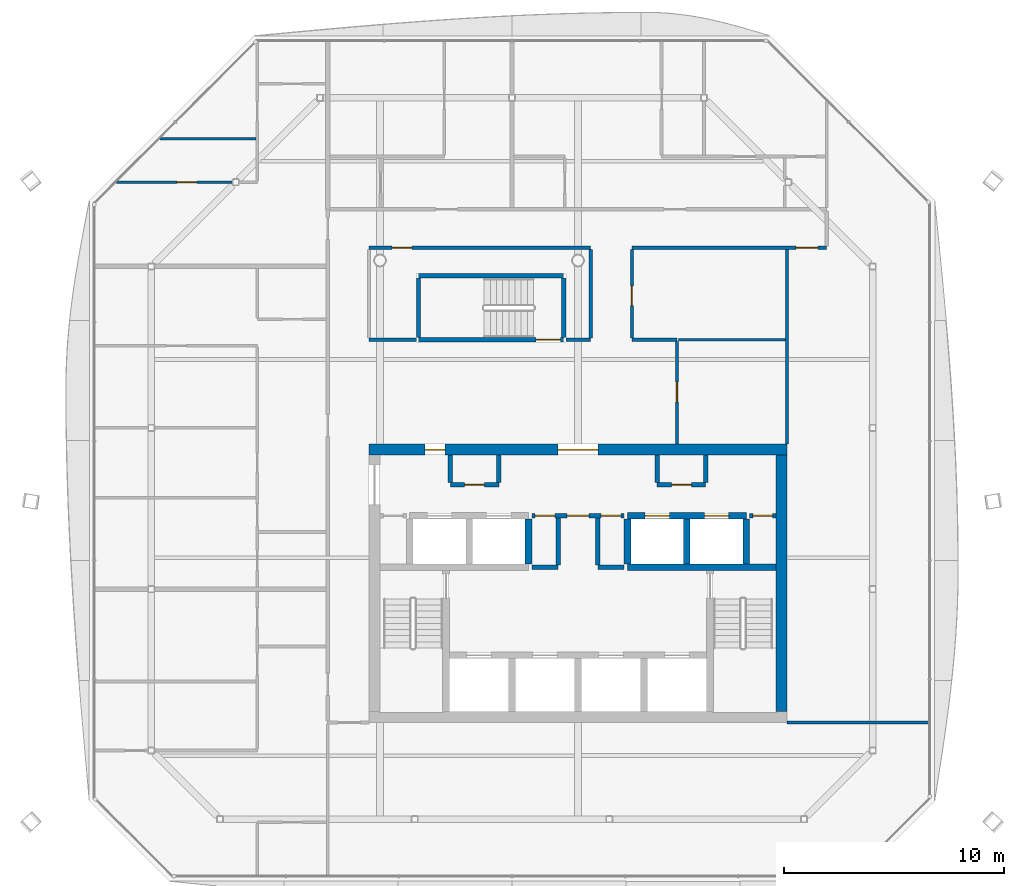
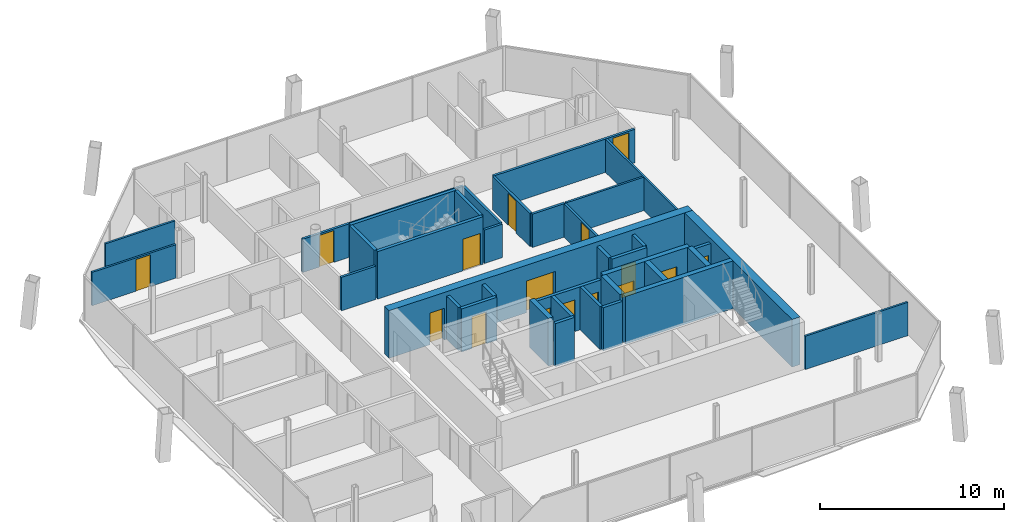
# One storey, part 13 of 18: 37 walls, 16 doors, 16 openings.
"""IFC4 building model written with IfcOpenShell, lengths in metres."""

from ifc_helpers import new_model, si_unit, direction, frame, frame_2d, origin, place, context, subcontext, project, spatial, rectangle, extrude, material, layer, layer_set, type_object, element, fill, save


model = new_model("IFC4")

# Units and contexts
model_context = context("Model", 3, precision=1e-05, world=origin(), true_north=direction((0.0, 1.0)))
body_context = subcontext(model_context, "Body", "Model", "MODEL_VIEW")
ifc_project = project(units=[si_unit("LENGTHUNIT", "METRE"), si_unit("AREAUNIT", "SQUARE_METRE"), si_unit("VOLUMEUNIT", "CUBIC_METRE"), si_unit("PLANEANGLEUNIT", "RADIAN"), si_unit("MASSUNIT", "GRAM", prefix="KILO")], contexts=[model_context])

# Site, building, storey
site_placement = place(None, origin())
site = spatial("IfcSite", under=ifc_project, at=site_placement, CompositionType="ELEMENT")
building_placement = place(site_placement, origin())
building = spatial("IfcBuilding", under=site, at=building_placement, Name="Tskaro Facet Tower", CompositionType="ELEMENT")
storey_placement = place(building_placement, frame((0.0, 0.0, 220.35009765625)))
storey = spatial("IfcBuildingStorey", under=building, at=storey_placement, Name="L56", CompositionType="ELEMENT", Elevation=220.35009765625)

# Wall
ifc_material_1 = material(Name="Concrete C60/75", Category="concrete")
ifc_layer_1 = layer(ifc_material_1, 0.300048828125, Name="Concrete C60/75")
ifc_layer_set_1 = layer_set([ifc_layer_1], Name="Concrete C60/75")
wall_type_1 = type_object("IfcWallType", Name="CORE-SHAFT", PredefinedType="SHEAR", material=ifc_layer_set_1)
wall_1_placement = place(storey_placement, frame((2.25, -4.949951171875, 0.0), z_axis=(0.0, 0.0, 1.0), x_axis=(1.0, 0.0, 0.0)))
element("IfcWall", 1, at=wall_1_placement, inside=storey, type_object=wall_type_1, Name="Shaft wall W014", PredefinedType="SHEAR", context=body_context, shape_type="SweptSolid", body=[
    extrude(rectangle(XDim=6.75, YDim=0.300048828125, at=frame_2d((3.375, 0.0))), origin(), (0.0, 0.0, 1.0), 3.14990234375),
])

# Wall, openings, doors
wall_2_placement = place(storey_placement, frame((2.25, -2.60009765625, 0.0), z_axis=(0.0, 0.0, 1.0), x_axis=(1.0, 0.0, 0.0)))
wall_2 = element("IfcWall", 2, at=wall_2_placement, inside=storey, type_object=wall_type_1, Name="Shaft wall W019", PredefinedType="SHEAR", context=body_context, shape_type="SweptSolid", body=[
    extrude(rectangle(XDim=5.39990234375, YDim=0.300048828125, at=frame_2d((2.699951171875, 0.0))), origin(), (0.0, 0.0, 1.0), 3.14990234375),
])
opening_1_placement = place(wall_2_placement, frame((0.800048828125, 0.0, 0.0)))
opening_1 = element("IfcOpeningElement", 3, at=opening_1_placement, cuts=wall_2, Name="Opening LD-HB3", PredefinedType="OPENING", context=body_context, shape_type="SweptSolid", body=[
    extrude(rectangle(XDim=1.10009765625, YDim=2.10009765625, at=frame_2d((0.550048828125, 1.050048828125))), frame((0.0, 0.159912109375, 0.0), z_axis=(0.0, -1.0, 0.0), x_axis=(1.0, 0.0, 0.0)), (0.0, 0.0, 1.0), 0.320068359375),
])
opening_2_placement = place(wall_2_placement, frame((3.5, 0.0, 0.0)))
opening_2 = element("IfcOpeningElement", 4, at=opening_2_placement, cuts=wall_2, Name="Opening LD-HB4", PredefinedType="OPENING", context=body_context, shape_type="SweptSolid", body=[
    extrude(rectangle(XDim=1.10009765625, YDim=2.10009765625, at=frame_2d((0.550048828125, 1.050048828125))), frame((0.0, 0.159912109375, 0.0), z_axis=(0.0, -1.0, 0.0), x_axis=(1.0, 0.0, 0.0)), (0.0, 0.0, 1.0), 0.320068359375),
])
ifc_material_2 = material(Name="Stainless steel", Category="steel")
door_type_1 = type_object("IfcDoorType", Name="D-LANDING", OperationType="NOTDEFINED", PredefinedType="DOOR", material=ifc_material_2)
door_1_placement = place(opening_1_placement, origin())
door_1 = element("IfcDoor", 5, at=door_1_placement, inside=storey, type_object=door_type_1, Name="Landing door HB3", OperationType="DOUBLE_DOOR_SLIDING", OverallHeight=2.10009765625, OverallWidth=1.10009765625, PredefinedType="DOOR", context=body_context, shape_type="SweptSolid", body=[
    extrude(rectangle(XDim=1.10009765625, YDim=2.10009765625, at=frame_2d((0.550048828125, 1.050048828125))), frame((0.0, 0.02490234375, 0.0), z_axis=(0.0, -1.0, 0.0), x_axis=(1.0, 0.0, 0.0)), (0.0, 0.0, 1.0), 0.050048828125),
])
fill(opening_1, door_1)
door_2_placement = place(opening_2_placement, origin())
door_2 = element("IfcDoor", 6, at=door_2_placement, inside=storey, type_object=door_type_1, Name="Landing door HB4", OperationType="DOUBLE_DOOR_SLIDING", OverallHeight=2.10009765625, OverallWidth=1.10009765625, PredefinedType="DOOR", context=body_context, shape_type="SweptSolid", body=[
    extrude(rectangle(XDim=1.10009765625, YDim=2.10009765625, at=frame_2d((0.550048828125, 1.050048828125))), frame((0.0, 0.02490234375, 0.0), z_axis=(0.0, -1.0, 0.0), x_axis=(1.0, 0.0, 0.0)), (0.0, 0.0, 1.0), 0.050048828125),
])
fill(opening_2, door_2)

# Walls
for number, where, z_axis, x_axis, name in (
    (7, (-2.25, -4.800048828125, 0.0), (0.0, 0.0, 1.0), (0.0, 1.0, 0.0), "Shaft wall W065"),
    (8, (2.25, -4.800048828125, 0.0), (0.0, 0.0, 1.0), (0.0, 1.0, 0.0), "Shaft wall W072"),
    (9, (4.949951171875, -4.800048828125, 0.0), (0.0, 0.0, 1.0), (0.0, 1.0, 0.0), "Shaft wall W078"),
    (10, (7.64990234375, -4.800048828125, 0.0), (0.0, 0.0, 1.0), (0.0, 1.0, 0.0), "Shaft wall W083"),
):
    element("IfcWall", number, at=place(storey_placement, frame(where, z_axis=z_axis, x_axis=x_axis)), inside=storey, type_object=wall_type_1, Name=name, PredefinedType="SHEAR", context=body_context, shape_type="SweptSolid", body=[
        extrude(rectangle(XDim=2.050048828125, YDim=0.300048828125, at=frame_2d((1.02490234375, 0.0))), origin(), (0.0, 0.0, 1.0), 3.14990234375),
    ])
ifc_material_3 = material(Name="Concrete C20/25", Category="concrete")
ifc_layer_2 = layer(ifc_material_3, 0.199951171875, Name="Concrete C20/25")
ifc_layer_set_2 = layer_set([ifc_layer_2], Name="Concrete C20/25")
wall_type_2 = type_object("IfcWallType", Name="CORE-WALL", PredefinedType="SOLIDWALL", material=ifc_layer_set_2)
for number, where, z_axis, x_axis, name in (
    (11, (-2.10009765625, -4.949951171875, 0.0), (0.0, 0.0, 1.0), (1.0, 0.0, 0.0), "Core room wall W012"),
    (12, (0.89990234375, -4.949951171875, 0.0), (0.0, 0.0, 1.0), (1.0, 0.0, 0.0), "Core room wall W013"),
):
    element("IfcWall", number, at=place(storey_placement, frame(where, z_axis=z_axis, x_axis=x_axis)), inside=storey, type_object=wall_type_2, Name=name, PredefinedType="SOLIDWALL", context=body_context, shape_type="SweptSolid", body=[
        extrude(rectangle(XDim=1.2001953125, YDim=0.199951171875, at=frame_2d((0.60009765625, 0.0))), origin(), (0.0, 0.0, 1.0), 2.849853515625),
    ])

# Wall, openings, doors
wall_3_placement = place(storey_placement, frame((2.10009765625, -2.60009765625, 0.0), z_axis=(0.0, 0.0, 1.0), x_axis=(-1.0, 0.0, 0.0)))
wall_3 = element("IfcWall", 13, at=wall_3_placement, inside=storey, type_object=wall_type_2, Name="Core room wall W018", PredefinedType="SOLIDWALL", context=body_context, shape_type="SweptSolid", body=[
    extrude(rectangle(XDim=4.2001953125, YDim=0.199951171875, at=frame_2d((2.10009765625, 0.0))), origin(), (0.0, 0.0, 1.0), 2.849853515625),
])
opening_3_placement = place(wall_3_placement, frame((1.60009765625, 0.0, 0.0)))
opening_3 = element("IfcOpeningElement", 14, at=opening_3_placement, cuts=wall_3, Name="Opening FL-D1", PredefinedType="OPENING", context=body_context, shape_type="SweptSolid", body=[
    extrude(rectangle(XDim=1.0, YDim=2.10009765625, at=frame_2d((0.5, 1.050048828125))), frame((0.0, 0.10986328125, 0.0), z_axis=(0.0, -1.0, 0.0), x_axis=(1.0, 0.0, 0.0)), (0.0, 0.0, 1.0), 0.219970703125),
])
opening_4_placement = place(wall_3_placement, frame((3.14990234375, 0.0, 0.0)))
opening_4 = element("IfcOpeningElement", 15, at=opening_4_placement, cuts=wall_3, Name="Opening T16-D09", PredefinedType="OPENING", context=body_context, shape_type="SweptSolid", body=[
    extrude(rectangle(XDim=0.89990234375, YDim=2.10009765625, at=frame_2d((0.449951171875, 1.050048828125))), frame((0.0, 0.10986328125, 0.0), z_axis=(0.0, -1.0, 0.0), x_axis=(1.0, 0.0, 0.0)), (0.0, 0.0, 1.0), 0.219970703125),
])
opening_5_placement = place(wall_3_placement, frame((0.14990234375, 0.0, 0.0)))
opening_5 = element("IfcOpeningElement", 16, at=opening_5_placement, cuts=wall_3, Name="Opening T16-D10", PredefinedType="OPENING", context=body_context, shape_type="SweptSolid", body=[
    extrude(rectangle(XDim=0.89990234375, YDim=2.10009765625, at=frame_2d((0.449951171875, 1.050048828125))), frame((0.0, 0.10986328125, 0.0), z_axis=(0.0, -1.0, 0.0), x_axis=(1.0, 0.0, 0.0)), (0.0, 0.0, 1.0), 0.219970703125),
])
ifc_material_4 = material(Name="Steel", Category="steel")
door_type_2 = type_object("IfcDoorType", Name="D-LOBBY", OperationType="NOTDEFINED", PredefinedType="DOOR", material=ifc_material_4)
door_3_placement = place(opening_3_placement, origin())
door_3 = element("IfcDoor", 17, at=door_3_placement, inside=storey, type_object=door_type_2, Name="Lobby door FL", OperationType="SINGLE_SWING_RIGHT", OverallHeight=2.10009765625, OverallWidth=1.0, PredefinedType="DOOR", context=body_context, shape_type="SweptSolid", body=[
    extrude(rectangle(XDim=1.0, YDim=2.10009765625, at=frame_2d((0.5, 1.050048828125))), frame((0.0, 0.02490234375, 0.0), z_axis=(0.0, -1.0, 0.0), x_axis=(1.0, 0.0, 0.0)), (0.0, 0.0, 1.0), 0.050048828125),
])
fill(opening_3, door_3)
ifc_material_5 = material(Name="Timber", Category="wood")
door_type_3 = type_object("IfcDoorType", Name="D-ROOM", OperationType="NOTDEFINED", PredefinedType="DOOR", material=ifc_material_5)
door_4_placement = place(opening_4_placement, origin())
door_4 = element("IfcDoor", 18, at=door_4_placement, inside=storey, type_object=door_type_3, Name="Door T16-D09", OperationType="SINGLE_SWING_RIGHT", OverallHeight=2.10009765625, OverallWidth=0.89990234375, PredefinedType="DOOR", context=body_context, shape_type="SweptSolid", body=[
    extrude(rectangle(XDim=0.89990234375, YDim=2.10009765625, at=frame_2d((0.449951171875, 1.050048828125))), frame((0.0, 0.02490234375, 0.0), z_axis=(0.0, -1.0, 0.0), x_axis=(1.0, 0.0, 0.0)), (0.0, 0.0, 1.0), 0.050048828125),
])
fill(opening_4, door_4)
door_5_placement = place(opening_5_placement, origin())
door_5 = element("IfcDoor", 19, at=door_5_placement, inside=storey, type_object=door_type_3, Name="Door T16-D10", OperationType="SINGLE_SWING_RIGHT", OverallHeight=2.10009765625, OverallWidth=0.89990234375, PredefinedType="DOOR", context=body_context, shape_type="SweptSolid", body=[
    extrude(rectangle(XDim=0.89990234375, YDim=2.10009765625, at=frame_2d((0.449951171875, 1.050048828125))), frame((0.0, 0.02490234375, 0.0), z_axis=(0.0, -1.0, 0.0), x_axis=(1.0, 0.0, 0.0)), (0.0, 0.0, 1.0), 0.050048828125),
])
fill(opening_5, door_5)

# Wall, opening, door
wall_4_placement = place(storey_placement, frame((9.0, -2.60009765625, 0.0), z_axis=(0.0, 0.0, 1.0), x_axis=(-1.0, 0.0, 0.0)))
wall_4 = element("IfcWall", 20, at=wall_4_placement, inside=storey, type_object=wall_type_2, Name="Core room wall W020", PredefinedType="SOLIDWALL", context=body_context, shape_type="SweptSolid", body=[
    extrude(rectangle(XDim=1.199951171875, YDim=0.199951171875, at=frame_2d((0.60009765625, 0.0))), origin(), (0.0, 0.0, 1.0), 2.849853515625),
])
opening_6_placement = place(wall_4_placement, frame((0.14990234375, 0.0, 0.0)))
opening_6 = element("IfcOpeningElement", 21, at=opening_6_placement, cuts=wall_4, Name="Opening T16-D11", PredefinedType="OPENING", context=body_context, shape_type="SweptSolid", body=[
    extrude(rectangle(XDim=0.89990234375, YDim=2.10009765625, at=frame_2d((0.449951171875, 1.050048828125))), frame((0.0, 0.10986328125, 0.0), z_axis=(0.0, -1.0, 0.0), x_axis=(1.0, 0.0, 0.0)), (0.0, 0.0, 1.0), 0.219970703125),
])
door_6_placement = place(opening_6_placement, origin())
door_6 = element("IfcDoor", 22, at=door_6_placement, inside=storey, type_object=door_type_3, Name="Door T16-D11", OperationType="SINGLE_SWING_RIGHT", OverallHeight=2.10009765625, OverallWidth=0.89990234375, PredefinedType="DOOR", context=body_context, shape_type="SweptSolid", body=[
    extrude(rectangle(XDim=0.89990234375, YDim=2.10009765625, at=frame_2d((0.449951171875, 1.050048828125))), frame((0.0, 0.02490234375, 0.0), z_axis=(0.0, -1.0, 0.0), x_axis=(1.0, 0.0, 0.0)), (0.0, 0.0, 1.0), 0.050048828125),
])
fill(opening_6, door_6)

wall_5_placement = place(storey_placement, frame((-5.800048828125, -1.199951171875, 0.0), z_axis=(0.0, 0.0, 1.0), x_axis=(1.0, 0.0, 0.0)))
wall_5 = element("IfcWall", 23, at=wall_5_placement, inside=storey, type_object=wall_type_2, Name="Core room wall W022", PredefinedType="SOLIDWALL", context=body_context, shape_type="SweptSolid", body=[
    extrude(rectangle(XDim=2.199951171875, YDim=0.199951171875, at=frame_2d((1.10009765625, 0.0))), origin(), (0.0, 0.0, 1.0), 2.849853515625),
])
opening_7_placement = place(wall_5_placement, frame((0.64990234375, 0.0, 0.0)))
opening_7 = element("IfcOpeningElement", 24, at=opening_7_placement, cuts=wall_5, Name="Opening T16-D14", PredefinedType="OPENING", context=body_context, shape_type="SweptSolid", body=[
    extrude(rectangle(XDim=0.89990234375, YDim=2.10009765625, at=frame_2d((0.449951171875, 1.050048828125))), frame((0.0, 0.10986328125, 0.0), z_axis=(0.0, -1.0, 0.0), x_axis=(1.0, 0.0, 0.0)), (0.0, 0.0, 1.0), 0.219970703125),
])
door_7_placement = place(opening_7_placement, origin())
door_7 = element("IfcDoor", 25, at=door_7_placement, inside=storey, type_object=door_type_3, Name="Door T16-D14", OperationType="SINGLE_SWING_LEFT", OverallHeight=2.10009765625, OverallWidth=0.89990234375, PredefinedType="DOOR", context=body_context, shape_type="SweptSolid", body=[
    extrude(rectangle(XDim=0.89990234375, YDim=2.10009765625, at=frame_2d((0.449951171875, 1.050048828125))), frame((0.0, 0.02490234375, 0.0), z_axis=(0.0, -1.0, 0.0), x_axis=(1.0, 0.0, 0.0)), (0.0, 0.0, 1.0), 0.050048828125),
])
fill(opening_7, door_7)

wall_6_placement = place(storey_placement, frame((3.60009765625, -1.199951171875, 0.0), z_axis=(0.0, 0.0, 1.0), x_axis=(1.0, 0.0, 0.0)))
wall_6 = element("IfcWall", 26, at=wall_6_placement, inside=storey, type_object=wall_type_2, Name="Core room wall W023", PredefinedType="SOLIDWALL", context=body_context, shape_type="SweptSolid", body=[
    extrude(rectangle(XDim=2.199951171875, YDim=0.199951171875, at=frame_2d((1.10009765625, 0.0))), origin(), (0.0, 0.0, 1.0), 2.849853515625),
])
opening_8_placement = place(wall_6_placement, frame((0.64990234375, 0.0, 0.0)))
opening_8 = element("IfcOpeningElement", 27, at=opening_8_placement, cuts=wall_6, Name="Opening T16-D15", PredefinedType="OPENING", context=body_context, shape_type="SweptSolid", body=[
    extrude(rectangle(XDim=0.89990234375, YDim=2.10009765625, at=frame_2d((0.449951171875, 1.050048828125))), frame((0.0, 0.10986328125, 0.0), z_axis=(0.0, -1.0, 0.0), x_axis=(1.0, 0.0, 0.0)), (0.0, 0.0, 1.0), 0.219970703125),
])
door_8_placement = place(opening_8_placement, origin())
door_8 = element("IfcDoor", 28, at=door_8_placement, inside=storey, type_object=door_type_3, Name="Door T16-D15", OperationType="SINGLE_SWING_LEFT", OverallHeight=2.10009765625, OverallWidth=0.89990234375, PredefinedType="DOOR", context=body_context, shape_type="SweptSolid", body=[
    extrude(rectangle(XDim=0.89990234375, YDim=2.10009765625, at=frame_2d((0.449951171875, 1.050048828125))), frame((0.0, 0.02490234375, 0.0), z_axis=(0.0, -1.0, 0.0), x_axis=(1.0, 0.0, 0.0)), (0.0, 0.0, 1.0), 0.050048828125),
])
fill(opening_8, door_8)

# Walls
for number, where, z_axis, x_axis, name in (
    (29, (-5.800048828125, -1.10009765625, 0.0), (0.0, 0.0, 1.0), (0.0, 1.0, 0.0), "Core room wall W059"),
    (30, (-3.60009765625, -1.10009765625, 0.0), (0.0, 0.0, 1.0), (0.0, 1.0, 0.0), "Core room wall W061"),
):
    element("IfcWall", number, at=place(storey_placement, frame(where, z_axis=z_axis, x_axis=x_axis)), inside=storey, type_object=wall_type_2, Name=name, PredefinedType="SOLIDWALL", context=body_context, shape_type="SweptSolid", body=[
        extrude(rectangle(XDim=1.25, YDim=0.199951171875, at=frame_2d((0.625, 0.0))), origin(), (0.0, 0.0, 1.0), 2.849853515625),
    ])
for number, where, z_axis, x_axis, name in (
    (31, (-0.89990234375, -4.85009765625, 0.0), (0.0, 0.0, 1.0), (0.0, 1.0, 0.0), "Core room wall W066"),
    (32, (0.89990234375, -4.85009765625, 0.0), (0.0, 0.0, 1.0), (0.0, 1.0, 0.0), "Core room wall W071"),
):
    element("IfcWall", number, at=place(storey_placement, frame(where, z_axis=z_axis, x_axis=x_axis)), inside=storey, type_object=wall_type_2, Name=name, PredefinedType="SOLIDWALL", context=body_context, shape_type="SweptSolid", body=[
        extrude(rectangle(XDim=2.150146484375, YDim=0.199951171875, at=frame_2d((1.0751953125, 0.0))), origin(), (0.0, 0.0, 1.0), 2.849853515625),
    ])
for number, where, z_axis, x_axis, name in (
    (33, (3.60009765625, -1.10009765625, 0.0), (0.0, 0.0, 1.0), (0.0, 1.0, 0.0), "Core room wall W075"),
    (34, (5.800048828125, -1.10009765625, 0.0), (0.0, 0.0, 1.0), (0.0, 1.0, 0.0), "Core room wall W081"),
):
    element("IfcWall", number, at=place(storey_placement, frame(where, z_axis=z_axis, x_axis=x_axis)), inside=storey, type_object=wall_type_2, Name=name, PredefinedType="SOLIDWALL", context=body_context, shape_type="SweptSolid", body=[
        extrude(rectangle(XDim=1.25, YDim=0.199951171875, at=frame_2d((0.625, 0.0))), origin(), (0.0, 0.0, 1.0), 2.849853515625),
    ])

# Wall, openings, doors
ifc_material_6 = material(Name="Concrete C40/50", Category="concrete")
ifc_layer_3 = layer(ifc_material_6, 0.5, Name="Concrete C40/50")
ifc_layer_set_3 = layer_set([ifc_layer_3], Name="Concrete C40/50")
wall_type_3 = type_object("IfcWallType", Name="Core wall 500", PredefinedType="SHEAR", material=ifc_layer_set_3)
wall_7_placement = place(storey_placement, frame((-9.5, 0.39990234375, 0.0), z_axis=(0.0, 0.0, 1.0), x_axis=(1.0, 0.0, 0.0)))
wall_7 = element("IfcWall", 35, at=wall_7_placement, inside=storey, type_object=wall_type_3, Name="Core wall CW-Z3N", PredefinedType="SHEAR", context=body_context, shape_type="SweptSolid", body=[
    extrude(rectangle(XDim=19.0, YDim=0.5, at=frame_2d((9.5, 0.0))), origin(), (0.0, 0.0, 1.0), 3.14990234375),
])
opening_9_placement = place(wall_7_placement, frame((8.60009765625, 0.0, 0.0)))
opening_9 = element("IfcOpeningElement", 36, at=opening_9_placement, cuts=wall_7, Name="Opening T16-D18", PredefinedType="OPENING", context=body_context, shape_type="SweptSolid", body=[
    extrude(rectangle(XDim=1.800048828125, YDim=2.10009765625, at=frame_2d((0.89990234375, 1.050048828125))), frame((0.0, 0.260009765625, 0.0), z_axis=(0.0, -1.0, 0.0), x_axis=(1.0, 0.0, 0.0)), (0.0, 0.0, 1.0), 0.52001953125),
])
opening_10_placement = place(wall_7_placement, frame((2.550048828125, 0.0, 0.0)))
opening_10 = element("IfcOpeningElement", 37, at=opening_10_placement, cuts=wall_7, Name="Opening T16-D17", PredefinedType="OPENING", context=body_context, shape_type="SweptSolid", body=[
    extrude(rectangle(XDim=0.89990234375, YDim=2.10009765625, at=frame_2d((0.449951171875, 1.050048828125))), frame((0.0, 0.260009765625, 0.0), z_axis=(0.0, -1.0, 0.0), x_axis=(1.0, 0.0, 0.0)), (0.0, 0.0, 1.0), 0.52001953125),
])
door_type_4 = type_object("IfcDoorType", Name="D-CORE-PAIR", OperationType="NOTDEFINED", PredefinedType="DOOR", material=ifc_material_4)
door_9_placement = place(opening_9_placement, origin())
door_9 = element("IfcDoor", 38, at=door_9_placement, inside=storey, type_object=door_type_4, Name="Door T16-D18", OperationType="DOUBLE_DOOR_SINGLE_SWING", OverallHeight=2.10009765625, OverallWidth=1.800048828125, PredefinedType="DOOR", context=body_context, shape_type="SweptSolid", body=[
    extrude(rectangle(XDim=1.800048828125, YDim=2.10009765625, at=frame_2d((0.89990234375, 1.050048828125))), frame((0.0, 0.02490234375, 0.0), z_axis=(0.0, -1.0, 0.0), x_axis=(1.0, 0.0, 0.0)), (0.0, 0.0, 1.0), 0.050048828125),
])
fill(opening_9, door_9)
door_10_placement = place(opening_10_placement, origin())
door_10 = element("IfcDoor", 39, at=door_10_placement, inside=storey, type_object=door_type_3, Name="Door T16-D17", OperationType="SINGLE_SWING_LEFT", OverallHeight=2.10009765625, OverallWidth=0.89990234375, PredefinedType="DOOR", context=body_context, shape_type="SweptSolid", body=[
    extrude(rectangle(XDim=0.89990234375, YDim=2.10009765625, at=frame_2d((0.449951171875, 1.050048828125))), frame((0.0, 0.02490234375, 0.0), z_axis=(0.0, -1.0, 0.0), x_axis=(1.0, 0.0, 0.0)), (0.0, 0.0, 1.0), 0.050048828125),
])
fill(opening_10, door_10)

# Walls
wall_8_placement = place(storey_placement, frame((9.25, -11.5, 0.0), z_axis=(0.0, 0.0, 1.0), x_axis=(0.0, 1.0, 0.0)))
element("IfcWall", 40, at=wall_8_placement, inside=storey, type_object=wall_type_3, Name="Core wall CW-Z3E", PredefinedType="SHEAR", context=body_context, shape_type="SweptSolid", body=[
    extrude(rectangle(XDim=11.64990234375, YDim=0.5, at=frame_2d((5.824951171875, 0.0))), origin(), (0.0, 0.0, 1.0), 3.14990234375),
])
ifc_material_7 = material(Name="Gypsum board on steel studs", Category="steel")
ifc_layer_4 = layer(ifc_material_7, 0.125, Name="Gypsum board on steel studs")
ifc_layer_set_4 = layer_set([ifc_layer_4], Name="Gypsum board on steel studs")
wall_type_4 = type_object("IfcWallType", Name="PART", PredefinedType="PARTITIONING", material=ifc_layer_set_4)
wall_9_placement = place(storey_placement, frame((9.5, -12.0, 0.0), z_axis=(0.0, 0.0, 1.0), x_axis=(1.0, 0.0, 0.0)))
element("IfcWall", 41, at=wall_9_placement, inside=storey, type_object=wall_type_4, Name="Partition W005", PredefinedType="PARTITIONING", context=body_context, shape_type="SweptSolid", body=[
    extrude(rectangle(XDim=6.43505859375, YDim=0.125, at=frame_2d((3.217529296875, 0.0))), origin(), (0.0, 0.0, 1.0), 2.2099609375),
])
wall_10_placement = place(storey_placement, frame((4.574951171875, 5.39990234375, 0.0), z_axis=(0.0, 0.0, 1.0), x_axis=(1.0, 0.0, 0.0)))
element("IfcWall", 42, at=wall_10_placement, inside=storey, type_object=wall_type_4, Name="Partition W031", PredefinedType="PARTITIONING", context=body_context, shape_type="SweptSolid", body=[
    extrude(rectangle(XDim=4.862548828125, YDim=0.125, at=frame_2d((2.43115234375, 0.0))), origin(), (0.0, 0.0, 1.0), 2.2099609375),
])

# Wall, opening, door
wall_11_placement = place(storey_placement, frame((-20.964111328125, 12.56005859375, 0.0), z_axis=(0.0, 0.0, 1.0), x_axis=(1.0, 0.0, 0.0)))
wall_11 = element("IfcWall", 43, at=wall_11_placement, inside=storey, type_object=wall_type_4, Name="Partition W039", PredefinedType="PARTITIONING", context=body_context, shape_type="SweptSolid", body=[
    extrude(rectangle(XDim=5.256103515625, YDim=0.125, at=frame_2d((2.6279296875, 0.0))), origin(), (0.0, 0.0, 1.0), 2.2099609375),
])
opening_11_placement = place(wall_11_placement, frame((2.744384765625, 0.0, 0.0)))
opening_11 = element("IfcOpeningElement", 44, at=opening_11_placement, cuts=wall_11, Name="Opening T16-D31", PredefinedType="OPENING", context=body_context, shape_type="SweptSolid", body=[
    extrude(rectangle(XDim=0.89990234375, YDim=2.10009765625, at=frame_2d((0.449951171875, 1.050048828125))), frame((0.0, 0.072509765625, 0.0), z_axis=(0.0, -1.0, 0.0), x_axis=(1.0, 0.0, 0.0)), (0.0, 0.0, 1.0), 0.14501953125),
])
door_11_placement = place(opening_11_placement, origin())
door_11 = element("IfcDoor", 45, at=door_11_placement, inside=storey, type_object=door_type_3, Name="Door T16-D31", OperationType="SINGLE_SWING_LEFT", OverallHeight=2.10009765625, OverallWidth=0.89990234375, PredefinedType="DOOR", context=body_context, shape_type="SweptSolid", body=[
    extrude(rectangle(XDim=0.89990234375, YDim=2.10009765625, at=frame_2d((0.449951171875, 1.050048828125))), frame((0.0, 0.02490234375, 0.0), z_axis=(0.0, -1.0, 0.0), x_axis=(1.0, 0.0, 0.0)), (0.0, 0.0, 1.0), 0.050048828125),
])
fill(opening_11, door_11)

# Walls
wall_12_placement = place(storey_placement, frame((-18.989013671875, 14.534912109375, 0.0), z_axis=(0.0, 0.0, 1.0), x_axis=(1.0, 0.0, 0.0)))
element("IfcWall", 46, at=wall_12_placement, inside=storey, type_object=wall_type_4, Name="Partition W044", PredefinedType="PARTITIONING", context=body_context, shape_type="SweptSolid", body=[
    extrude(rectangle(XDim=4.3515625, YDim=0.125, at=frame_2d((2.17578125, 0.0))), origin(), (0.0, 0.0, 1.0), 2.2099609375),
])
wall_13_placement = place(storey_placement, frame((9.5, 0.64990234375, 0.0), z_axis=(0.0, 0.0, 1.0), x_axis=(0.0, 1.0, 0.0)))
element("IfcWall", 47, at=wall_13_placement, inside=storey, type_object=wall_type_4, Name="Partition W086", PredefinedType="PARTITIONING", context=body_context, shape_type="SweptSolid", body=[
    extrude(rectangle(XDim=8.85009765625, YDim=0.125, at=frame_2d((4.425048828125, 0.0))), origin(), (0.0, 0.0, 1.0), 2.2099609375),
])
ifc_layer_5 = layer(ifc_material_7, 0.14990234375, Name="Gypsum board on steel studs")
ifc_layer_set_5 = layer_set([ifc_layer_5], Name="Gypsum board on steel studs")
wall_type_5 = type_object("IfcWallType", Name="PART-CORR", PredefinedType="PARTITIONING", material=ifc_layer_set_5)
wall_14_placement = place(storey_placement, frame((-9.5, 5.39990234375, 0.0), z_axis=(0.0, 0.0, 1.0), x_axis=(1.0, 0.0, 0.0)))
element("IfcWall", 48, at=wall_14_placement, inside=storey, type_object=wall_type_5, Name="Corridor wall W027", PredefinedType="PARTITIONING", context=body_context, shape_type="SweptSolid", body=[
    extrude(rectangle(XDim=2.14990234375, YDim=0.14990234375, at=frame_2d((1.074951171875, 0.0))), origin(), (0.0, 0.0, 1.0), 2.2099609375),
])
wall_15_placement = place(storey_placement, frame((-0.550048828125, 5.39990234375, 0.0), z_axis=(0.0, 0.0, 1.0), x_axis=(1.0, 0.0, 0.0)))
element("IfcWall", 49, at=wall_15_placement, inside=storey, type_object=wall_type_5, Name="Corridor wall W029", PredefinedType="PARTITIONING", context=body_context, shape_type="SweptSolid", body=[
    extrude(rectangle(XDim=1.125, YDim=0.14990234375, at=frame_2d((0.5625, 0.0))), origin(), (0.0, 0.0, 1.0), 2.2099609375),
])
wall_16_placement = place(storey_placement, frame((2.449951171875, 5.39990234375, 0.0), z_axis=(0.0, 0.0, 1.0), x_axis=(1.0, 0.0, 0.0)))
element("IfcWall", 50, at=wall_16_placement, inside=storey, type_object=wall_type_5, Name="Corridor wall W030", PredefinedType="PARTITIONING", context=body_context, shape_type="SweptSolid", body=[
    extrude(rectangle(XDim=2.050048828125, YDim=0.14990234375, at=frame_2d((1.02490234375, 0.0))), origin(), (0.0, 0.0, 1.0), 2.2099609375),
])

# Wall, opening, door
wall_17_placement = place(storey_placement, frame((0.574951171875, 9.574951171875, 0.0), z_axis=(0.0, 0.0, 1.0), x_axis=(-1.0, 0.0, 0.0)))
wall_17 = element("IfcWall", 51, at=wall_17_placement, inside=storey, type_object=wall_type_5, Name="Corridor wall W036", PredefinedType="PARTITIONING", context=body_context, shape_type="SweptSolid", body=[
    extrude(rectangle(XDim=10.074951171875, YDim=0.14990234375, at=frame_2d((5.03759765625, 0.0))), origin(), (0.0, 0.0, 1.0), 2.2099609375),
])
opening_12_placement = place(wall_17_placement, frame((8.125, 0.0, 0.0)))
opening_12 = element("IfcOpeningElement", 52, at=opening_12_placement, cuts=wall_17, Name="Opening T16-D24", PredefinedType="OPENING", context=body_context, shape_type="SweptSolid", body=[
    extrude(rectangle(XDim=0.89990234375, YDim=2.10009765625, at=frame_2d((0.449951171875, 1.050048828125))), frame((0.0, 0.0849609375, 0.0), z_axis=(0.0, -1.0, 0.0), x_axis=(1.0, 0.0, 0.0)), (0.0, 0.0, 1.0), 0.169921875),
])
door_12_placement = place(opening_12_placement, origin())
door_12 = element("IfcDoor", 53, at=door_12_placement, inside=storey, type_object=door_type_3, Name="Door T16-D24", OperationType="SINGLE_SWING_RIGHT", OverallHeight=2.10009765625, OverallWidth=0.89990234375, PredefinedType="DOOR", context=body_context, shape_type="SweptSolid", body=[
    extrude(rectangle(XDim=0.89990234375, YDim=2.10009765625, at=frame_2d((0.449951171875, 1.050048828125))), frame((0.0, 0.02490234375, 0.0), z_axis=(0.0, -1.0, 0.0), x_axis=(1.0, 0.0, 0.0)), (0.0, 0.0, 1.0), 0.050048828125),
])
fill(opening_12, door_12)

wall_18_placement = place(storey_placement, frame((11.300048828125, 9.574951171875, 0.0), z_axis=(0.0, 0.0, 1.0), x_axis=(-1.0, 0.0, 0.0)))
wall_18 = element("IfcWall", 54, at=wall_18_placement, inside=storey, type_object=wall_type_5, Name="Corridor wall W037", PredefinedType="PARTITIONING", context=body_context, shape_type="SweptSolid", body=[
    extrude(rectangle(XDim=8.85009765625, YDim=0.14990234375, at=frame_2d((4.425048828125, 0.0))), origin(), (0.0, 0.0, 1.0), 2.2099609375),
])
opening_13_placement = place(wall_18_placement, frame((0.39990234375, 0.0, 0.0)))
opening_13 = element("IfcOpeningElement", 55, at=opening_13_placement, cuts=wall_18, Name="Opening T16-D25", PredefinedType="OPENING", context=body_context, shape_type="SweptSolid", body=[
    extrude(rectangle(XDim=1.0, YDim=2.10009765625, at=frame_2d((0.5, 1.050048828125))), frame((0.0, 0.0849609375, 0.0), z_axis=(0.0, -1.0, 0.0), x_axis=(1.0, 0.0, 0.0)), (0.0, 0.0, 1.0), 0.169921875),
])
door_type_5 = type_object("IfcDoorType", Name="D-ROOM-WIDE", OperationType="NOTDEFINED", PredefinedType="DOOR", material=ifc_material_5)
door_13_placement = place(opening_13_placement, origin())
door_13 = element("IfcDoor", 56, at=door_13_placement, inside=storey, type_object=door_type_5, Name="Door T16-D25", OperationType="SINGLE_SWING_RIGHT", OverallHeight=2.10009765625, OverallWidth=1.0, PredefinedType="DOOR", context=body_context, shape_type="SweptSolid", body=[
    extrude(rectangle(XDim=1.0, YDim=2.10009765625, at=frame_2d((0.5, 1.050048828125))), frame((0.0, 0.02490234375, 0.0), z_axis=(0.0, -1.0, 0.0), x_axis=(1.0, 0.0, 0.0)), (0.0, 0.0, 1.0), 0.050048828125),
])
fill(opening_13, door_13)

# Wall
wall_19_placement = place(storey_placement, frame((0.574951171875, 5.47509765625, 0.0), z_axis=(0.0, 0.0, 1.0), x_axis=(0.0, 1.0, 0.0)))
element("IfcWall", 57, at=wall_19_placement, inside=storey, type_object=wall_type_5, Name="Corridor wall W070", PredefinedType="PARTITIONING", context=body_context, shape_type="SweptSolid", body=[
    extrude(rectangle(XDim=4.02490234375, YDim=0.14990234375, at=frame_2d((2.012451171875, 0.0))), origin(), (0.0, 0.0, 1.0), 2.2099609375),
])

# Wall, opening, door
wall_20_placement = place(storey_placement, frame((2.449951171875, 9.5, 0.0), z_axis=(0.0, 0.0, 1.0), x_axis=(0.0, -1.0, 0.0)))
wall_20 = element("IfcWall", 58, at=wall_20_placement, inside=storey, type_object=wall_type_5, Name="Corridor wall W073", PredefinedType="PARTITIONING", context=body_context, shape_type="SweptSolid", body=[
    extrude(rectangle(XDim=4.02490234375, YDim=0.14990234375, at=frame_2d((2.012451171875, 0.0))), origin(), (0.0, 0.0, 1.0), 2.2099609375),
])
opening_14_placement = place(wall_20_placement, frame((1.64990234375, 0.0, 0.0)))
opening_14 = element("IfcOpeningElement", 59, at=opening_14_placement, cuts=wall_20, Name="Opening T16-D23", PredefinedType="OPENING", context=body_context, shape_type="SweptSolid", body=[
    extrude(rectangle(XDim=0.89990234375, YDim=2.10009765625, at=frame_2d((0.449951171875, 1.050048828125))), frame((0.0, 0.0849609375, 0.0), z_axis=(0.0, -1.0, 0.0), x_axis=(1.0, 0.0, 0.0)), (0.0, 0.0, 1.0), 0.169921875),
])
door_14_placement = place(opening_14_placement, origin())
door_14 = element("IfcDoor", 60, at=door_14_placement, inside=storey, type_object=door_type_3, Name="Door T16-D23", OperationType="SINGLE_SWING_RIGHT", OverallHeight=2.10009765625, OverallWidth=0.89990234375, PredefinedType="DOOR", context=body_context, shape_type="SweptSolid", body=[
    extrude(rectangle(XDim=0.89990234375, YDim=2.10009765625, at=frame_2d((0.449951171875, 1.050048828125))), frame((0.0, 0.02490234375, 0.0), z_axis=(0.0, -1.0, 0.0), x_axis=(1.0, 0.0, 0.0)), (0.0, 0.0, 1.0), 0.050048828125),
])
fill(opening_14, door_14)

wall_21_placement = place(storey_placement, frame((4.5, 5.324951171875, 0.0), z_axis=(0.0, 0.0, 1.0), x_axis=(0.0, -1.0, 0.0)))
wall_21 = element("IfcWall", 61, at=wall_21_placement, inside=storey, type_object=wall_type_5, Name="Corridor wall W077", PredefinedType="PARTITIONING", context=body_context, shape_type="SweptSolid", body=[
    extrude(rectangle(XDim=4.675048828125, YDim=0.14990234375, at=frame_2d((2.33740234375, 0.0))), origin(), (0.0, 0.0, 1.0), 2.2099609375),
])
opening_15_placement = place(wall_21_placement, frame((1.85009765625, 0.0, 0.0)))
opening_15 = element("IfcOpeningElement", 62, at=opening_15_placement, cuts=wall_21, Name="Opening T16-D20", PredefinedType="OPENING", context=body_context, shape_type="SweptSolid", body=[
    extrude(rectangle(XDim=0.89990234375, YDim=2.10009765625, at=frame_2d((0.449951171875, 1.050048828125))), frame((0.0, 0.0849609375, 0.0), z_axis=(0.0, -1.0, 0.0), x_axis=(1.0, 0.0, 0.0)), (0.0, 0.0, 1.0), 0.169921875),
])
door_15_placement = place(opening_15_placement, origin())
door_15 = element("IfcDoor", 63, at=door_15_placement, inside=storey, type_object=door_type_3, Name="Door T16-D20", OperationType="SINGLE_SWING_RIGHT", OverallHeight=2.10009765625, OverallWidth=0.89990234375, PredefinedType="DOOR", context=body_context, shape_type="SweptSolid", body=[
    extrude(rectangle(XDim=0.89990234375, YDim=2.10009765625, at=frame_2d((0.449951171875, 1.050048828125))), frame((0.0, 0.02490234375, 0.0), z_axis=(0.0, -1.0, 0.0), x_axis=(1.0, 0.0, 0.0)), (0.0, 0.0, 1.0), 0.050048828125),
])
fill(opening_15, door_15)

ifc_layer_6 = layer(ifc_material_1, 0.199951171875, Name="Concrete C60/75")
ifc_layer_set_6 = layer_set([ifc_layer_6], Name="Concrete C60/75")
wall_type_6 = type_object("IfcWallType", Name="STAIR-WALL", PredefinedType="SHEAR", material=ifc_layer_set_6)
wall_22_placement = place(storey_placement, frame((-7.25, 5.39990234375, 0.0), z_axis=(0.0, 0.0, 1.0), x_axis=(1.0, 0.0, 0.0)))
wall_22 = element("IfcWall", 64, at=wall_22_placement, inside=storey, type_object=wall_type_6, Name="Stair wall W028", PredefinedType="SHEAR", context=body_context, shape_type="SweptSolid", body=[
    extrude(rectangle(XDim=6.60009765625, YDim=0.199951171875, at=frame_2d((3.300048828125, 0.0))), origin(), (0.0, 0.0, 1.0), 3.14990234375),
])
opening_16_placement = place(wall_22_placement, frame((5.35009765625, 0.0, 0.0)))
opening_16 = element("IfcOpeningElement", 65, at=opening_16_placement, cuts=wall_22, Name="Opening ST-3-D1", PredefinedType="OPENING", context=body_context, shape_type="SweptSolid", body=[
    extrude(rectangle(XDim=1.10009765625, YDim=2.10009765625, at=frame_2d((0.550048828125, 1.050048828125))), frame((0.0, 0.10986328125, 0.0), z_axis=(0.0, -1.0, 0.0), x_axis=(1.0, 0.0, 0.0)), (0.0, 0.0, 1.0), 0.219970703125),
])
door_type_6 = type_object("IfcDoorType", Name="D-STAIR", OperationType="NOTDEFINED", PredefinedType="DOOR", material=ifc_material_4)
door_16_placement = place(opening_16_placement, origin())
door_16 = element("IfcDoor", 66, at=door_16_placement, inside=storey, type_object=door_type_6, Name="Stair door 3", OperationType="SINGLE_SWING_LEFT", OverallHeight=2.10009765625, OverallWidth=1.10009765625, PredefinedType="DOOR", context=body_context, shape_type="SweptSolid", body=[
    extrude(rectangle(XDim=1.10009765625, YDim=2.10009765625, at=frame_2d((0.550048828125, 1.050048828125))), frame((0.0, 0.02490234375, 0.0), z_axis=(0.0, -1.0, 0.0), x_axis=(1.0, 0.0, 0.0)), (0.0, 0.0, 1.0), 0.050048828125),
])
fill(opening_16, door_16)

# Walls
wall_23_placement = place(storey_placement, frame((-7.25, 8.300048828125, 0.0), z_axis=(0.0, 0.0, 1.0), x_axis=(1.0, 0.0, 0.0)))
element("IfcWall", 67, at=wall_23_placement, inside=storey, type_object=wall_type_6, Name="Stair wall W033", PredefinedType="SHEAR", context=body_context, shape_type="SweptSolid", body=[
    extrude(rectangle(XDim=6.60009765625, YDim=0.199951171875, at=frame_2d((3.300048828125, 0.0))), origin(), (0.0, 0.0, 1.0), 3.14990234375),
])
for number, where, z_axis, x_axis, name in (
    (68, (-7.25, 5.5, 0.0), (0.0, 0.0, 1.0), (0.0, 1.0, 0.0), "Stair wall W056"),
    (69, (-0.64990234375, 5.5, 0.0), (0.0, 0.0, 1.0), (0.0, 1.0, 0.0), "Stair wall W067"),
):
    element("IfcWall", number, at=place(storey_placement, frame(where, z_axis=z_axis, x_axis=x_axis)), inside=storey, type_object=wall_type_6, Name=name, PredefinedType="SHEAR", context=body_context, shape_type="SweptSolid", body=[
        extrude(rectangle(XDim=2.699951171875, YDim=0.199951171875, at=frame_2d((1.35009765625, 0.0))), origin(), (0.0, 0.0, 1.0), 3.14990234375),
    ])

save(model, "model.ifc")
